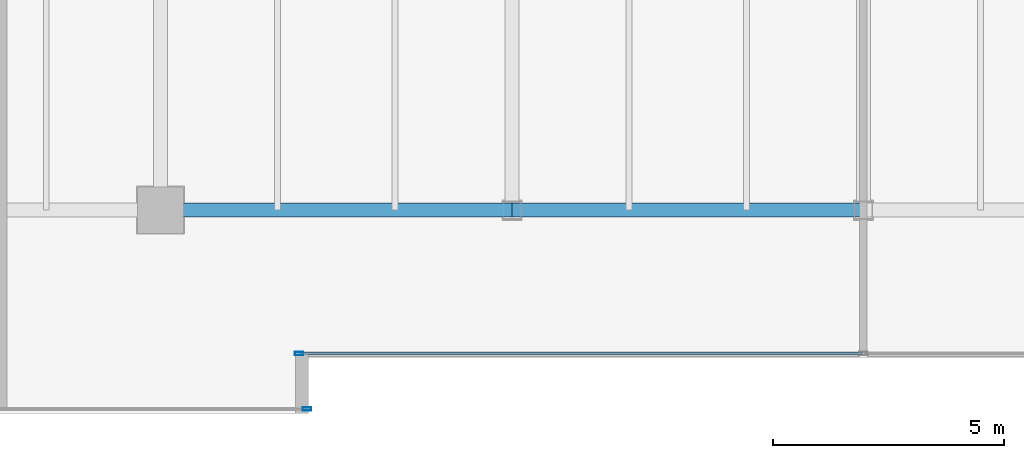
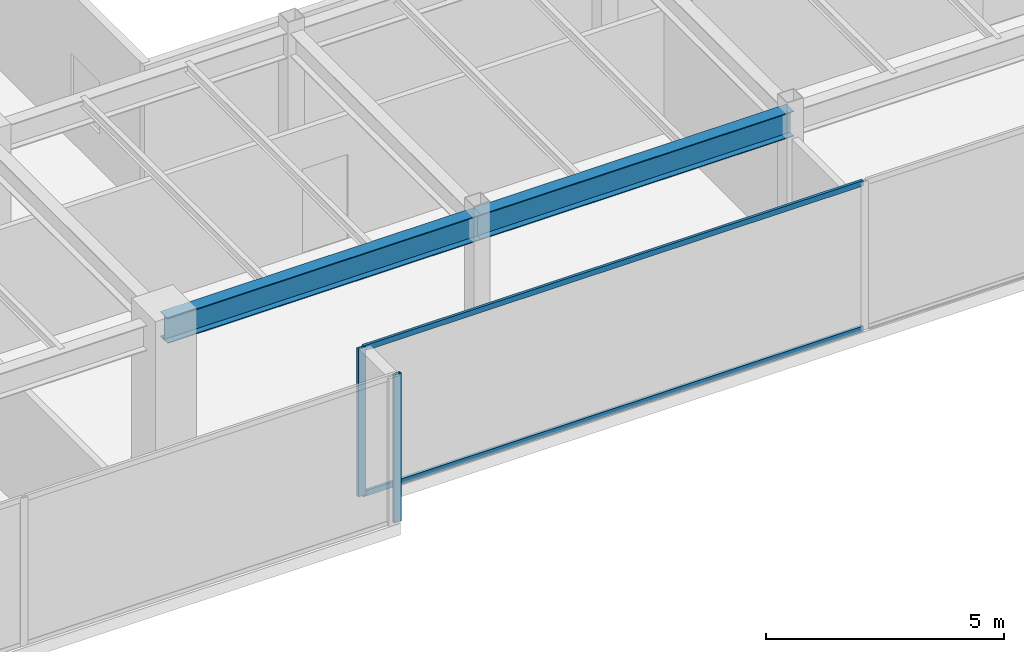
# One storey, part 7 of 36: 4 members, 2 beams, 2 elements without a shape of their own.
"""IFC4 building model written with IfcOpenShell, lengths in metres."""

from ifc_helpers import new_model, si_unit, direction, frame, origin, origin_2d, place, context, subcontext, project, spatial, hollow_rectangle, i_section, extrude, source, transform, mapped, material, layer, layer_set, material_profile, profile_set, type_object, type_shapes, element, aggregate, save


model = new_model("IFC4")

# Units and contexts
model_context = context("Model", 3, precision=1e-05, world=origin(), true_north=direction((0.0, 1.0)))
body_context = subcontext(model_context, "Body", "Model", "MODEL_VIEW")
ifc_project = project(units=[si_unit("LENGTHUNIT", "METRE"), si_unit("AREAUNIT", "SQUARE_METRE"), si_unit("VOLUMEUNIT", "CUBIC_METRE"), si_unit("PLANEANGLEUNIT", "RADIAN"), si_unit("MASSUNIT", "GRAM", prefix="KILO")], contexts=[model_context])

# Site, building, storey
site_placement = place(None, origin())
site = spatial("IfcSite", under=ifc_project, at=site_placement, CompositionType="ELEMENT")
building_placement = place(site_placement, origin())
building = spatial("IfcBuilding", under=site, at=building_placement, Name="Haelvirn Gate Laboratories", CompositionType="ELEMENT")
storey_placement = place(building_placement, frame((0.0, 0.0, 254.699951171875)))
storey = spatial("IfcBuildingStorey", under=building, at=storey_placement, Name="L61", CompositionType="ELEMENT", Elevation=254.699951171875)

# Beams
ifc_material_1 = material(Name="Steel SM355", Category="steel")
ifc_material_profile_1 = material_profile(ifc_material_1, i_section(OverallWidth=0.300048828125, OverallDepth=0.64990234375, WebThickness=0.012939453125, FlangeThickness=0.02197265625, at=origin_2d()), Name="H-650x300x13x22")
ifc_profile_set_1 = profile_set([ifc_material_profile_1], Name="Steel SM355")
beam_type = type_object("IfcBeamType", Name="BM-G-650", PredefinedType="BEAM", material=ifc_profile_set_1)
shared_shape_1 = source(origin(), body_context, "Body", "SweptSolid", [
    extrude(i_section(OverallWidth=0.300048828125, OverallDepth=0.64990234375, WebThickness=0.012939453125, FlangeThickness=0.02197265625, at=origin_2d()), origin(), (0.0, 0.0, 1.0), 7.60009765625),
])
beam_1_placement = place(storey_placement, frame((22.199951171875, 7.0, 3.47509765625), z_axis=(1.0, 0.0, 0.0), x_axis=(0.0, 1.0, 0.0)))
element("IfcBeam", 1, at=beam_1_placement, inside=storey, type_object=beam_type, Name="L61 Primary Girder Y7.0 (22.2-29.8)", PredefinedType="BEAM", context=body_context, shape_type="MappedRepresentation", body=[
    mapped(shared_shape_1, transform((0.0, 0.0, 0.0), scale=1.0)),
])
shared_shape_2 = source(origin(), body_context, "Body", "SweptSolid", [
    extrude(i_section(OverallWidth=0.300048828125, OverallDepth=0.64990234375, WebThickness=0.012939453125, FlangeThickness=0.02197265625, at=origin_2d()), origin(), (0.0, 0.0, 1.0), 7.599853515625),
])
type_shapes(beam_type, [shared_shape_1, shared_shape_2])
beam_2_placement = place(storey_placement, frame((29.800048828125, 7.0, 3.47509765625), z_axis=(1.0, 0.0, 0.0), x_axis=(0.0, 1.0, 0.0)))
element("IfcBeam", 2, at=beam_2_placement, inside=storey, type_object=beam_type, Name="L61 Primary Girder Y7.0 (29.8-37.4)", PredefinedType="BEAM", context=body_context, shape_type="MappedRepresentation", body=[
    mapped(shared_shape_2, transform((0.0, 0.0, 0.0), scale=1.0)),
])

# Curtain wall, members
ifc_material_2 = material(Name="Anodised bronze unitised aluminium & triple low-E glass", Category="aluminium")
ifc_layer = layer(ifc_material_2, 0.176025390625, Name="CW-SYS-4")
ifc_layer_set = layer_set([ifc_layer], Name="Anodised bronze unitised aluminium & triple low-E glass")
curtain_wall_type = type_object("IfcCurtainWallType", Name="CW-SYS-4", PredefinedType="NOTDEFINED", material=ifc_layer_set)
curtain_wall_1_placement = place(storey_placement, origin())
curtain_wall_1 = element("IfcCurtainWall", 3, at=curtain_wall_1_placement, inside=storey, type_object=curtain_wall_type, Name="L61 Unitised Curtain Wall CW-L61-P0-E02-1", PredefinedType="NOTDEFINED")
ifc_material_3 = material(Name="Extruded aluminium 6063-T6 (anodised bronze)", Category="aluminium")
ifc_material_profile_2 = material_profile(ifc_material_3, hollow_rectangle(XDim=0.06494140625, YDim=0.139892578125, WallThickness=0.00390625, at=origin_2d()), Name="CWT-140x65x4")
ifc_profile_set_2 = profile_set([ifc_material_profile_2], Name="Extruded aluminium 6063-T6 (anodised bronze)")
member_type_1 = type_object("IfcMemberType", Name="CWT-T140", PredefinedType="USERDEFINED", material=ifc_profile_set_2)
shared_shape_3 = source(origin(), body_context, "Body", "SweptSolid", [
    extrude(hollow_rectangle(XDim=0.06494140625, YDim=0.139892578125, WallThickness=0.00390625, at=origin_2d()), origin(), (0.0, 0.0, 1.0), 12.135009765625),
])
type_shapes(member_type_1, [shared_shape_3])
member_1_placement = place(storey_placement, frame((25.22998046875, 3.89990234375, 0.032470703125), z_axis=(1.0, 0.0, 0.0), x_axis=(0.0, 1.0, 0.0)))
member_1 = element("IfcMember", 4, at=member_1_placement, type_object=member_type_1, Name="CW4 transom 1.1", ObjectType="TRANSOM", PredefinedType="USERDEFINED", context=body_context, shape_type="MappedRepresentation", body=[
    mapped(shared_shape_3, transform((0.0, 0.0, 0.0), scale=1.0)),
])
member_2_placement = place(storey_placement, frame((25.22998046875, 3.89990234375, 3.767578125), z_axis=(1.0, 0.0, 0.0), x_axis=(0.0, 1.0, 0.0)))
member_2 = element("IfcMember", 5, at=member_2_placement, type_object=member_type_1, Name="CW4 transom 1.2", ObjectType="TRANSOM", PredefinedType="USERDEFINED", context=body_context, shape_type="MappedRepresentation", body=[
    mapped(shared_shape_3, transform((0.0, 0.0, 0.0), scale=1.0)),
])

# Curtain wall, member
curtain_wall_2_placement = place(storey_placement, origin())
curtain_wall_2 = element("IfcCurtainWall", 6, at=curtain_wall_2_placement, inside=storey, type_object=curtain_wall_type, Name="L61 Unitised Curtain Wall CW-L61-P0-E00-1", PredefinedType="NOTDEFINED")
ifc_material_profile_3 = material_profile(ifc_material_3, hollow_rectangle(XDim=0.070068359375, YDim=0.179931640625, WallThickness=0.0048828125, at=origin_2d()), Name="CWM-180x70x5")
ifc_profile_set_3 = profile_set([ifc_material_profile_3], Name="Extruded aluminium 6063-T6 (anodised bronze)")
member_type_2 = type_object("IfcMemberType", Name="CWM-T180", PredefinedType="MULLION", material=ifc_profile_set_3)
shared_shape_4 = source(origin(), body_context, "Body", "SweptSolid", [
    extrude(hollow_rectangle(XDim=0.070068359375, YDim=0.179931640625, WallThickness=0.0048828125, at=origin_2d()), origin(), (0.0, 0.0, 1.0), 3.800048828125),
])
type_shapes(member_type_2, [shared_shape_4])
member_3_placement = place(storey_placement, frame((25.364990234375, 2.699951171875, 0.0), z_axis=(0.0, 0.0, 1.0), x_axis=(0.0, 1.0, 0.0)))
member_3 = element("IfcMember", 7, at=member_3_placement, type_object=member_type_2, Name="CW4 mullion 3", PredefinedType="MULLION", context=body_context, shape_type="MappedRepresentation", body=[
    mapped(shared_shape_4, transform((0.0, 0.0, 0.0), scale=1.0)),
])
aggregate(curtain_wall_2, [member_3])

# Member
member_4_placement = place(storey_placement, frame((25.195068359375, 3.89990234375, 0.0), z_axis=(0.0, 0.0, 1.0), x_axis=(0.0, 1.0, 0.0)))
member_4 = element("IfcMember", 8, at=member_4_placement, type_object=member_type_2, Name="CW4 mullion 1", PredefinedType="MULLION", context=body_context, shape_type="MappedRepresentation", body=[
    mapped(shared_shape_4, transform((0.0, 0.0, 0.0), scale=1.0)),
])

aggregate(curtain_wall_1, [member_4, member_1, member_2])

save(model, "model.ifc")
